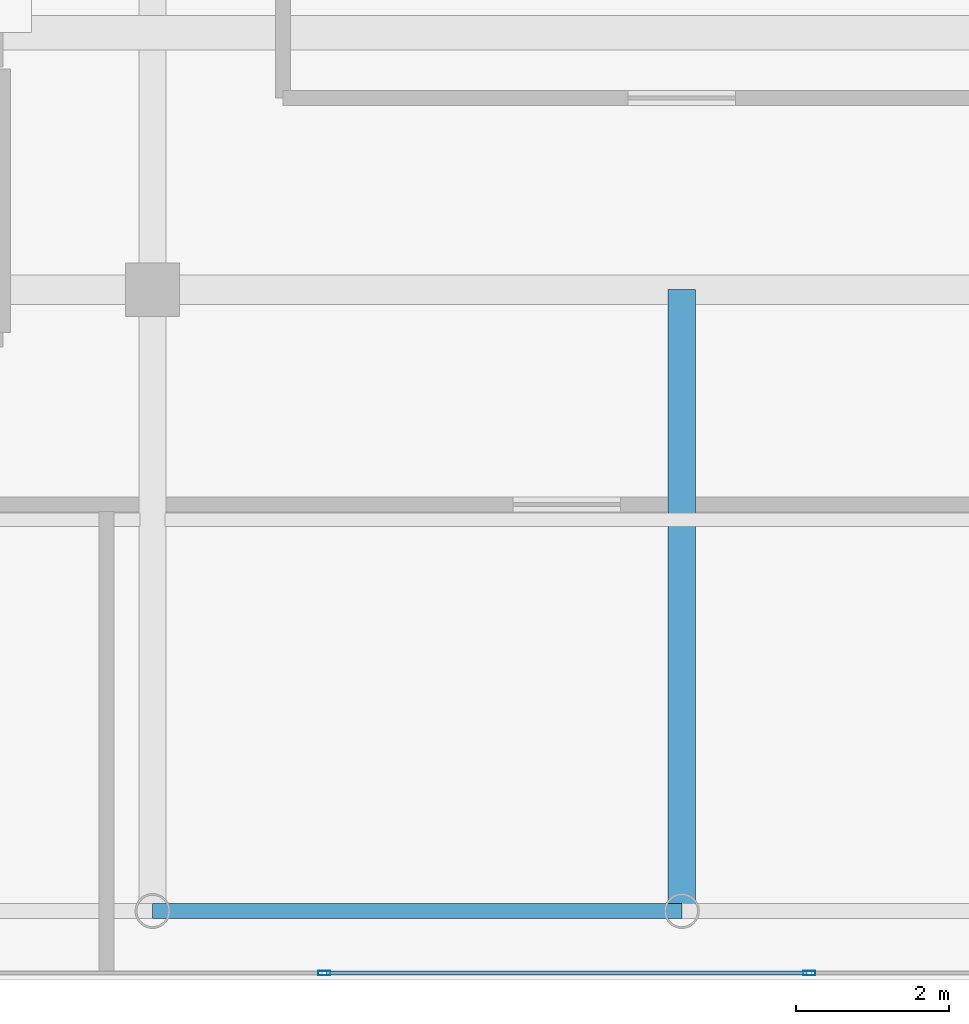
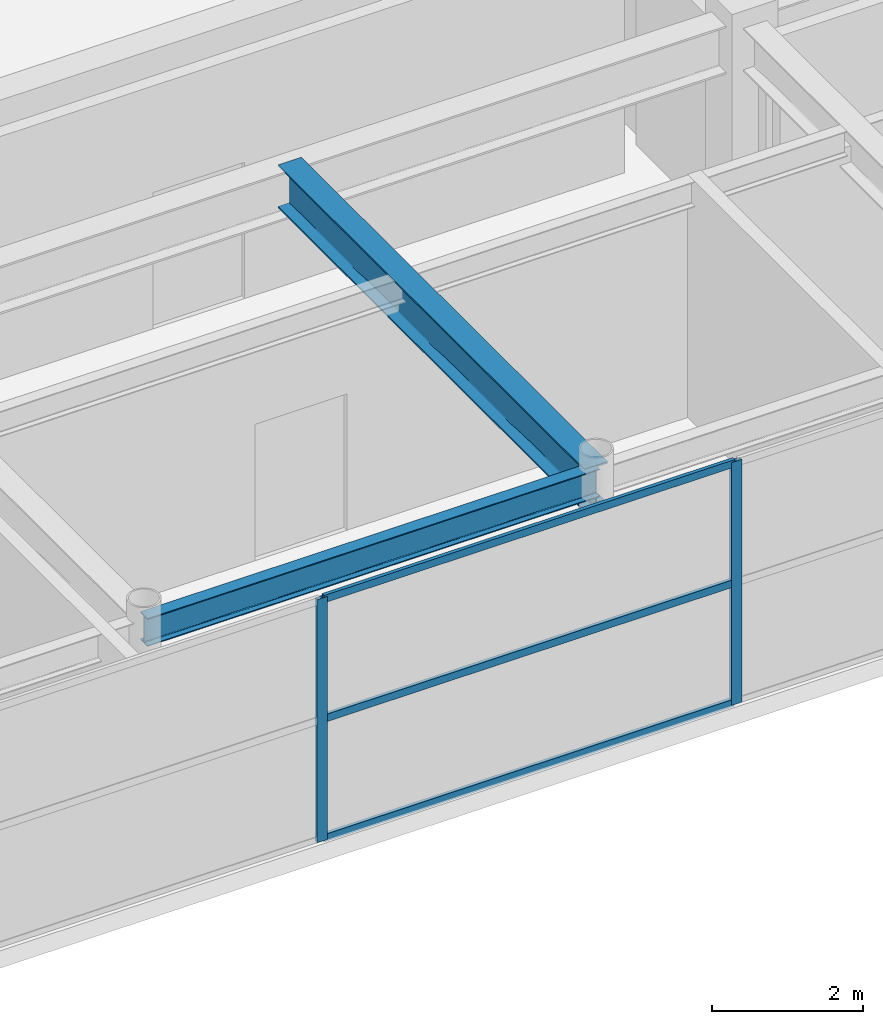
# One storey, part 7 of 33: 5 members, 2 beams, 1 element without a shape of its own.
"""IFC4 building model written with IfcOpenShell, lengths in metres."""

import ifcopenshell
import ifcopenshell.guid

model = None  # the IFC model being written
_history = None  # IfcOwnerHistory: only IFC2X3 demands one
_inside = {}  # id of a spatial element -> (the spatial element, [elements in it])
_under = {}  # id of a project, library or spatial element -> (it, [spatial elements below it])
_declared = {}  # id of a project -> (the project, [libraries it declares])
_typed = {}  # id of a type object -> (the type object, [elements of that type])
_made_of = {}  # id of a material, layer set ... -> (it, [elements and type objects made of it])


def new_model(schema):
    """Start an empty IFC model of exactly this schema.

    Asked for "IFC4X3", IfcOpenShell would pick the latest addendum, in which some entities
    have other attributes; the version numbers below select the first issue.
    IFC2X3 requires an IfcOwnerHistory on every rooted entity: one is made here for all.
    """
    global model, _history
    if schema == "IFC4X3":
        model = ifcopenshell.file(schema_version=(4, 3, 0, 0))
    else:
        model = ifcopenshell.file(schema=schema)
    _inside.clear()
    _under.clear()
    _declared.clear()
    _typed.clear()
    _made_of.clear()
    _history = None
    if model.schema == "IFC2X3":
        org = make("IfcOrganization", Name="unknown")
        user = make(
            "IfcPersonAndOrganization",
            ThePerson=make("IfcPerson", FamilyName="unknown"),
            TheOrganization=org,
        )
        app = make(
            "IfcApplication",
            ApplicationDeveloper=org,
            Version="unknown",
            ApplicationFullName="unknown",
            ApplicationIdentifier="unknown",
        )
        _history = make(
            "IfcOwnerHistory",
            OwningUser=user,
            OwningApplication=app,
            ChangeAction="ADDED",
            CreationDate=0,
        )
    return model


def make(cls, **values):
    """One entity of the class cls with the attributes given. An attribute that is None is left unset."""
    return model.create_entity(
        cls, **{name: value for name, value in values.items() if value is not None}
    )


def rooted(cls, **values):
    """An entity with a GlobalId (a new one), such as an element, a storey or a relation."""
    return make(cls, GlobalId=ifcopenshell.guid.new(), OwnerHistory=_history, **values)


def si_unit(unit_type, name, prefix=None):
    """IfcSIUnit, for example si_unit("LENGTHUNIT", "METRE", prefix="MILLI")."""
    return make("IfcSIUnit", UnitType=unit_type, Prefix=prefix, Name=name)


def assignment(units):
    """IfcUnitAssignment: the units of a project."""
    return None if units is None else make("IfcUnitAssignment", Units=units)


def point(xyz):
    """IfcCartesianPoint."""
    return None if xyz is None else make("IfcCartesianPoint", Coordinates=xyz)


def direction(xyz):
    """IfcDirection."""
    return None if xyz is None else make("IfcDirection", DirectionRatios=xyz)


def frame(location, z_axis=None, x_axis=None):
    """IfcAxis2Placement3D, a coordinate frame: its origin and axes. An axis left out is left unset."""
    return make(
        "IfcAxis2Placement3D",
        Location=point(location),
        Axis=direction(z_axis),
        RefDirection=direction(x_axis),
    )


def frame_2d(location, x_axis=None):
    """IfcAxis2Placement2D, a coordinate frame in the plane: its origin and x axis."""
    return make(
        "IfcAxis2Placement2D", Location=point(location), RefDirection=direction(x_axis)
    )


def origin():
    """The frame at (0, 0, 0) with its axes left unset."""
    return frame((0.0, 0.0, 0.0))


def origin_2d():
    """The frame at (0, 0) in the plane with its x axis left unset."""
    return frame_2d((0.0, 0.0))


def place(relative_to, where):
    """IfcLocalPlacement: puts the frame where relative to a parent placement (None: the world)."""
    return make(
        "IfcLocalPlacement", PlacementRelTo=relative_to, RelativePlacement=where
    )


def context(
    kind, dimensions, precision=None, world=None, true_north=None, identifier=None
):
    """IfcGeometricRepresentationContext, for example the 3D "Model" context."""
    return make(
        "IfcGeometricRepresentationContext",
        ContextIdentifier=identifier,
        ContextType=kind,
        CoordinateSpaceDimension=dimensions,
        Precision=precision,
        WorldCoordinateSystem=world,
        TrueNorth=true_north,
    )


def subcontext(parent, identifier, kind, view, scale=None):
    """IfcGeometricRepresentationSubContext, for example "Body" below "Model"."""
    return make(
        "IfcGeometricRepresentationSubContext",
        ContextIdentifier=identifier,
        ContextType=kind,
        ParentContext=parent,
        TargetScale=scale,
        TargetView=view,
    )


def project(units=None, contexts=None):
    """IfcProject with its units and contexts."""
    return rooted(
        "IfcProject",
        Name="project",
        RepresentationContexts=contexts,
        UnitsInContext=assignment(units),
    )


def spatial(cls, under=None, at=None, **own):
    """A site, building, storey or space (cls), placed at a placement, below another one or the project."""
    s = rooted(cls, ObjectPlacement=at, **own)
    if under is not None:
        _under.setdefault(under.id(), (under, []))[1].append(s)
    return s


def profile(cls, at=None, kind="AREA", **sizes):
    """A parametric profile (cls). Its sizes go by their IFC names, for example OverallWidth=200.0."""
    return make(cls, ProfileType=kind, Position=at, **sizes)


def hollow_rectangle(**sizes):
    """IfcRectangleHollowProfileDef."""
    return profile("IfcRectangleHollowProfileDef", **sizes)


def i_section(**sizes):
    """IfcIShapeProfileDef."""
    return profile("IfcIShapeProfileDef", **sizes)


def extrude(swept, where, along, depth):
    """IfcExtrudedAreaSolid: the profile swept, set in the frame where, extruded along a direction by depth."""
    return make(
        "IfcExtrudedAreaSolid",
        SweptArea=swept,
        Position=where,
        ExtrudedDirection=direction(along),
        Depth=depth,
    )


def shape(context_of_items, identifier, shape_type, items):
    """IfcShapeRepresentation: the items that make up one representation, for example the "Body"."""
    return make(
        "IfcShapeRepresentation",
        ContextOfItems=context_of_items,
        RepresentationIdentifier=identifier,
        RepresentationType=shape_type,
        Items=items,
    )


def source(mapping_origin, context_of_items, identifier, shape_type, items):
    """IfcRepresentationMap: a shape defined once, which mapped items show again and again."""
    return make(
        "IfcRepresentationMap",
        MappingOrigin=mapping_origin,
        MappedRepresentation=shape(context_of_items, identifier, shape_type, items),
    )


def transform(
    local_origin,
    x_axis=None,
    y_axis=None,
    z_axis=None,
    scale=None,
    scale2=None,
    scale3=None,
    uniform=True,
):
    """IfcCartesianTransformationOperator3D, or its non-uniform kind. x_axis, y_axis, z_axis: its Axis1, 2, 3."""
    if uniform:
        return make(
            "IfcCartesianTransformationOperator3D",
            Axis1=direction(x_axis),
            Axis2=direction(y_axis),
            LocalOrigin=point(local_origin),
            Scale=scale,
            Axis3=direction(z_axis),
        )
    return make(
        "IfcCartesianTransformationOperator3DnonUniform",
        Axis1=direction(x_axis),
        Axis2=direction(y_axis),
        LocalOrigin=point(local_origin),
        Scale=scale,
        Axis3=direction(z_axis),
        Scale2=scale2,
        Scale3=scale3,
    )


def mapped(mapping_source, mapping_target):
    """IfcMappedItem: shows the shape of a source again, moved by a transform."""
    return make(
        "IfcMappedItem", MappingSource=mapping_source, MappingTarget=mapping_target
    )


def material(Name=None, Category=None):
    """IfcMaterial."""
    return make("IfcMaterial", Name=Name, Category=Category)


def layer(
    of_material, thickness, ventilated=None, Name=None, Category=None, Priority=None
):
    """IfcMaterialLayer: one layer of a wall or slab, of a material (None: an air gap)."""
    return make(
        "IfcMaterialLayer",
        Material=of_material,
        LayerThickness=thickness,
        IsVentilated=ventilated,
        Name=Name,
        Category=Category,
        Priority=Priority,
    )


def layer_set(layers, Name=None):
    """IfcMaterialLayerSet."""
    return make("IfcMaterialLayerSet", MaterialLayers=layers, LayerSetName=Name)


def material_profile(
    of_material, cross_section, Name=None, Category=None, Priority=None
):
    """IfcMaterialProfile: a cross section and its material."""
    return make(
        "IfcMaterialProfile",
        Name=Name,
        Material=of_material,
        Profile=cross_section,
        Priority=Priority,
        Category=Category,
    )


def profile_set(profiles, Name=None, composite=None):
    """IfcMaterialProfileSet."""
    return make(
        "IfcMaterialProfileSet",
        Name=Name,
        MaterialProfiles=profiles,
        CompositeProfile=composite,
    )


def made_of(thing, what):
    """Note that an element or type object is made of a material, layer set ...; save() writes the relation."""
    if what is not None:
        _made_of.setdefault(what.id(), (what, []))[1].append(thing)
    return thing


def type_object(cls, material=None, **own):
    """A type object (cls), such as IfcWallType, which elements share."""
    return made_of(rooted(cls, **own), material)


def element(
    cls,
    number,
    at=None,
    inside=None,
    cuts=None,
    type_object=None,
    material=None,
    context=None,
    identifier="Body",
    shape_type=None,
    held_by="IfcProductDefinitionShape",
    body=None,
    shapes=None,
    **own,
):
    """One element of the class cls, such as IfcWall. Its Tag is "e" and its number.

    at: its placement. inside: the storey or other place that contains it. cuts: it is an
    opening in that element (IfcRelVoidsElement). A single representation is given by context,
    identifier, shape_type and body (its items); several are given by shapes. held_by: the class
    of the entity that holds the representations. save() writes the other relations.
    """
    e = rooted(cls, Tag="e%d" % number, ObjectPlacement=at, **own)
    if body is not None:
        shapes = [shape(context, identifier, shape_type, body)]
    if shapes is not None:
        e.Representation = make(held_by, Representations=shapes)
    if inside is not None:
        _inside.setdefault(inside.id(), (inside, []))[1].append(e)
    if cuts is not None:
        rooted(
            "IfcRelVoidsElement", RelatingBuildingElement=cuts, RelatedOpeningElement=e
        )
    if type_object is not None:
        _typed.setdefault(type_object.id(), (type_object, []))[1].append(e)
    return made_of(e, material)


def aggregate(whole, parts):
    """IfcRelAggregates: a whole, such as a stair, and the parts it consists of."""
    return rooted("IfcRelAggregates", RelatingObject=whole, RelatedObjects=parts)


def save(model, path):
    """Write the relations noted so far, then the file.

    IfcRelAggregates (storeys below a building ...), IfcRelContainedInSpatialStructure (elements
    in a storey), IfcRelDefinesByType, IfcRelAssociatesMaterial and IfcRelDeclares: one each for
    every whole, place, type object, material and project.
    """
    for whole, parts in _under.values():
        aggregate(whole, parts)
    for where, things in _inside.values():
        rooted(
            "IfcRelContainedInSpatialStructure",
            RelatedElements=things,
            RelatingStructure=where,
        )
    for kind, things in _typed.values():
        rooted("IfcRelDefinesByType", RelatedObjects=things, RelatingType=kind)
    for what, things in _made_of.values():
        rooted("IfcRelAssociatesMaterial", RelatedObjects=things, RelatingMaterial=what)
    for by, libraries in _declared.values():
        rooted("IfcRelDeclares", RelatingContext=by, RelatedDefinitions=libraries)
    model.write(path)


model = new_model("IFC4")

# Units and contexts
model_context = context("Model", 3, precision=1e-05, world=origin(), true_north=direction((0.0, 1.0)))
body_context = subcontext(model_context, "Body", "Model", "MODEL_VIEW")
ifc_project = project(units=[si_unit("LENGTHUNIT", "METRE"), si_unit("AREAUNIT", "SQUARE_METRE"), si_unit("VOLUMEUNIT", "CUBIC_METRE"), si_unit("PLANEANGLEUNIT", "RADIAN"), si_unit("MASSUNIT", "GRAM", prefix="KILO")], contexts=[model_context])

# Site, building, storey
site_placement = place(None, origin())
site = spatial("IfcSite", under=ifc_project, at=site_placement, CompositionType="ELEMENT")
building_placement = place(site_placement, origin())
building = spatial("IfcBuilding", under=site, at=building_placement, Name="Khoralis Quay Care Tower", CompositionType="ELEMENT")
storey_placement = place(building_placement, frame((0.0, 0.0, 302.10009765625)))
storey = spatial("IfcBuildingStorey", under=building, at=storey_placement, Name="L79", CompositionType="ELEMENT", Elevation=302.10009765625)

# Beams
ifc_material_1 = material(Name="Steel S355", Category="steel")
ifc_material_profile_1 = material_profile(ifc_material_1, i_section(OverallWidth=0.18994140625, OverallDepth=0.449951171875, WebThickness=0.009521484375, FlangeThickness=0.0146484375, FilletRadius=0.02099609375, at=origin_2d()), Name="Steel S355")
ifc_profile_set_1 = profile_set([ifc_material_profile_1], Name="Steel S355")
beam_type_1 = type_object("IfcBeamType", Name="BM-IPE450", PredefinedType="SPANDREL", material=ifc_profile_set_1)
shared_shape_1 = source(origin(), body_context, "Body", "SweptSolid", [
    extrude(i_section(OverallWidth=0.18994140625, OverallDepth=0.449951171875, WebThickness=0.009521484375, FlangeThickness=0.0146484375, FilletRadius=0.02099609375, at=origin_2d()), origin(), (0.0, 0.0, 1.0), 6.89990234375),
])
beam_1_placement = place(storey_placement, frame((17.10009765625, 3.89990234375, 3.69482421875), z_axis=(1.0, 0.0, 0.0), x_axis=(0.0, 1.0, 0.0)))
element("IfcBeam", 1, at=beam_1_placement, inside=storey, type_object=beam_type_1, Name="BM-TSP-L79-02", PredefinedType="SPANDREL", context=body_context, shape_type="MappedRepresentation", body=[
    mapped(shared_shape_1, transform((0.0, 0.0, 0.0), scale=1.0)),
])
ifc_material_profile_2 = material_profile(ifc_material_1, i_section(OverallWidth=0.35498046875, OverallDepth=0.695068359375, WebThickness=0.015380859375, FlangeThickness=0.02490234375, FilletRadius=0.02001953125, at=origin_2d()), Name="Steel S355")
ifc_profile_set_2 = profile_set([ifc_material_profile_2], Name="Steel S355")
beam_type_2 = type_object("IfcBeamType", Name="BM-W690X217", PredefinedType="BEAM", material=ifc_profile_set_2)
shared_shape_2 = source(origin(), body_context, "Body", "SweptSolid", [
    extrude(i_section(OverallWidth=0.35498046875, OverallDepth=0.695068359375, WebThickness=0.015380859375, FlangeThickness=0.02490234375, FilletRadius=0.02001953125, at=origin_2d()), origin(), (0.0, 0.0, 1.0), 8.10009765625),
])
beam_2_placement = place(storey_placement, frame((24.0, 3.89990234375, 3.572509765625), z_axis=(0.0, 1.0, 0.0), x_axis=(-1.0, 0.0, 0.0)))
element("IfcBeam", 2, at=beam_2_placement, inside=storey, type_object=beam_type_2, Name="BM-TGYS-L79-240", PredefinedType="BEAM", context=body_context, shape_type="MappedRepresentation", body=[
    mapped(shared_shape_2, transform((0.0, 0.0, 0.0), scale=1.0)),
])

# Curtain wall, members
ifc_material_2 = material(Name="Pale anodised aluminium", Category="aluminium")
ifc_layer = layer(ifc_material_2, 0.199951171875)
ifc_layer_set = layer_set([ifc_layer], Name="Pale anodised aluminium")
curtain_wall_type = type_object("IfcCurtainWallType", Name="CW-SYS-LANTERN", PredefinedType="NOTDEFINED", material=ifc_layer_set)
curtain_wall_placement = place(storey_placement, origin())
curtain_wall = element("IfcCurtainWall", 3, at=curtain_wall_placement, inside=storey, type_object=curtain_wall_type, Name="L79 Unitised Curtain Wall CW-LN-L79-01", PredefinedType="NOTDEFINED")
ifc_material_profile_3 = material_profile(ifc_material_2, hollow_rectangle(XDim=0.054931640625, YDim=0.1201171875, WallThickness=0.00390625, at=origin_2d()), Name="Pale anodised aluminium")
ifc_profile_set_3 = profile_set([ifc_material_profile_3], Name="Pale anodised aluminium")
member_type_1 = type_object("IfcMemberType", Name="CW-TRN-120", PredefinedType="USERDEFINED", material=ifc_profile_set_3)
shared_shape_3 = source(origin(), body_context, "Body", "SweptSolid", [
    extrude(hollow_rectangle(XDim=0.054931640625, YDim=0.1201171875, WallThickness=0.00390625, at=origin_2d()), origin(), (0.0, 0.0, 1.0), 6.26416015625),
])
member_1_placement = place(storey_placement, frame((19.367919921875, 3.090087890625, 0.02978515625), z_axis=(1.0, 0.0, 0.0), x_axis=(0.0, 1.0, 0.0)))
member_1 = element("IfcMember", 4, at=member_1_placement, type_object=member_type_1, Name="CW5 transom 3.1", ObjectType="TRANSOM", PredefinedType="USERDEFINED", context=body_context, shape_type="MappedRepresentation", body=[
    mapped(shared_shape_3, transform((0.0, 0.0, 0.0), scale=1.0)),
])
member_2_placement = place(storey_placement, frame((19.367919921875, 3.090087890625, 1.9599609375), z_axis=(1.0, 0.0, 0.0), x_axis=(0.0, 1.0, 0.0)))
member_2 = element("IfcMember", 5, at=member_2_placement, type_object=member_type_1, Name="CW5 transom 3.2", ObjectType="TRANSOM", PredefinedType="USERDEFINED", context=body_context, shape_type="MappedRepresentation", body=[
    mapped(shared_shape_3, transform((0.0, 0.0, 0.0), scale=1.0)),
])
member_3_placement = place(storey_placement, frame((19.367919921875, 3.090087890625, 3.889892578125), z_axis=(1.0, 0.0, 0.0), x_axis=(0.0, 1.0, 0.0)))
member_3 = element("IfcMember", 6, at=member_3_placement, type_object=member_type_1, Name="CW5 transom 3.3", ObjectType="TRANSOM", PredefinedType="USERDEFINED", context=body_context, shape_type="MappedRepresentation", body=[
    mapped(shared_shape_3, transform((0.0, 0.0, 0.0), scale=1.0)),
])
ifc_material_profile_4 = material_profile(ifc_material_2, hollow_rectangle(XDim=0.06005859375, YDim=0.159912109375, WallThickness=0.00390625, at=origin_2d()), Name="Pale anodised aluminium")
ifc_profile_set_4 = profile_set([ifc_material_profile_4], Name="Pale anodised aluminium")
member_type_2 = type_object("IfcMemberType", Name="CW-MUL-160", PredefinedType="MULLION", material=ifc_profile_set_4)
shared_shape_4 = source(origin(), body_context, "Body", "SweptSolid", [
    extrude(hollow_rectangle(XDim=0.06005859375, YDim=0.159912109375, WallThickness=0.00390625, at=origin_2d()), origin(), (0.0, 0.0, 1.0), 3.919921875),
])
member_4_placement = place(storey_placement, frame((19.337890625, 3.090087890625, 0.0), z_axis=(0.0, 0.0, 1.0), x_axis=(0.0, 1.0, 0.0)))
member_4 = element("IfcMember", 7, at=member_4_placement, type_object=member_type_2, Name="CW5 mullion 3", PredefinedType="MULLION", context=body_context, shape_type="MappedRepresentation", body=[
    mapped(shared_shape_4, transform((0.0, 0.0, 0.0), scale=1.0)),
])
member_5_placement = place(storey_placement, frame((25.662109375, 3.090087890625, 0.0), z_axis=(0.0, 0.0, 1.0), x_axis=(0.0, 1.0, 0.0)))
member_5 = element("IfcMember", 8, at=member_5_placement, type_object=member_type_2, Name="CW5 mullion 4", PredefinedType="MULLION", context=body_context, shape_type="MappedRepresentation", body=[
    mapped(shared_shape_4, transform((0.0, 0.0, 0.0), scale=1.0)),
])
aggregate(curtain_wall, [member_4, member_5, member_1, member_2, member_3])

save(model, "model.ifc")
